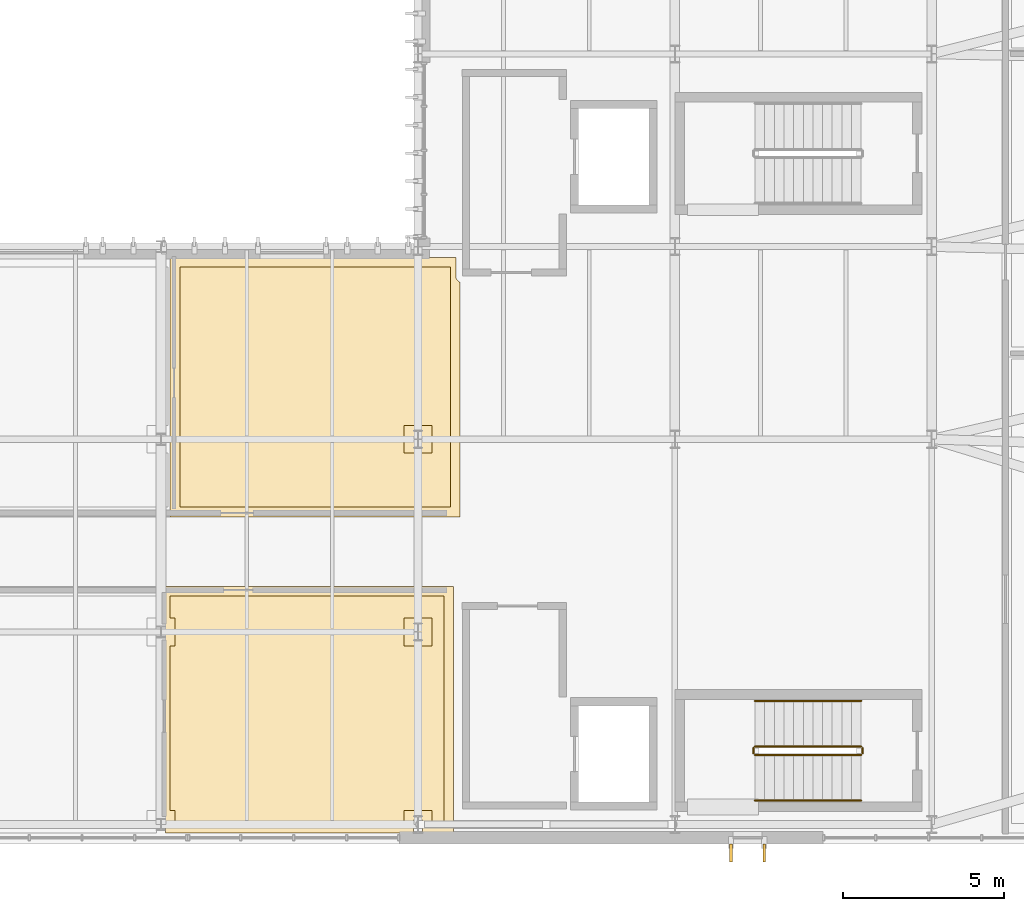
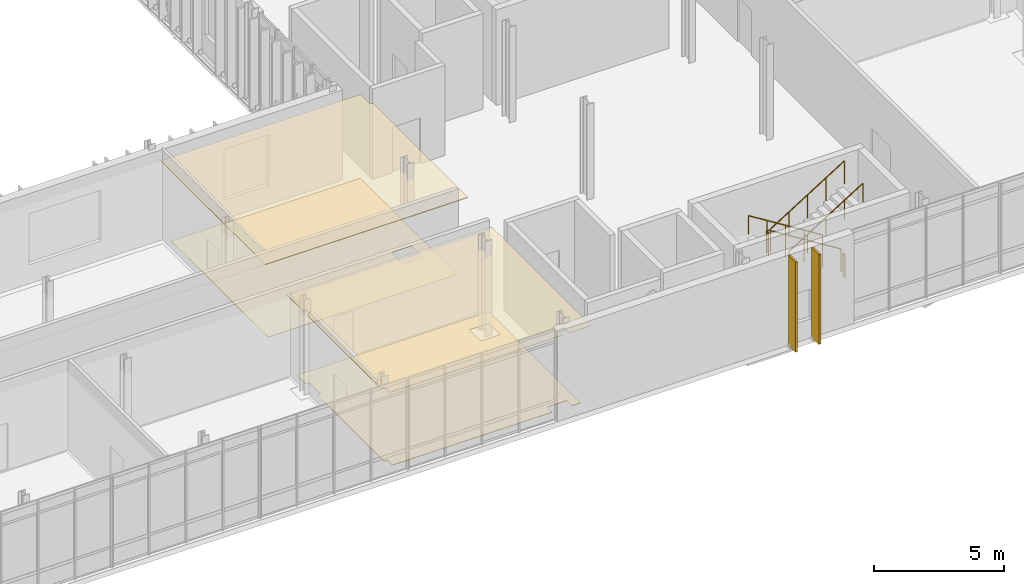
# One storey, part 97 of 100: 6 coverings, 6 railings.
"""IFC4 building model written with IfcOpenShell, lengths in metres."""

from ifc_helpers import new_model, si_unit, direction, frame, origin, origin_2d, place, context, subcontext, project, spatial, polyline, rectangle, circle, outline, extrude, material, layer, layer_set, type_object, element, save


model = new_model("IFC4")

# Units and contexts
model_context = context("Model", 3, precision=1e-05, world=origin(), true_north=direction((0.0, 1.0)))
body_context = subcontext(model_context, "Body", "Model", "MODEL_VIEW")
ifc_project = project(units=[si_unit("LENGTHUNIT", "METRE"), si_unit("AREAUNIT", "SQUARE_METRE"), si_unit("VOLUMEUNIT", "CUBIC_METRE"), si_unit("PLANEANGLEUNIT", "RADIAN"), si_unit("MASSUNIT", "GRAM", prefix="KILO")], contexts=[model_context])

# Site, building, storey
site_placement = place(None, origin())
site = spatial("IfcSite", under=ifc_project, at=site_placement, CompositionType="ELEMENT")
building_placement = place(site_placement, origin())
building = spatial("IfcBuilding", under=site, at=building_placement, Name="Cymarion Research Institute", CompositionType="ELEMENT")
storey_placement = place(building_placement, frame((0.0, 0.0, 9.300048828125)))
storey = spatial("IfcBuildingStorey", under=building, at=storey_placement, Name="L02", CompositionType="ELEMENT", Elevation=9.300048828125)

# Coverings
ifc_material_1 = material(Name="Micro-perforated mineral acoustic ceiling tile", Category="gypsum")
ifc_layer_1 = layer(ifc_material_1, 0.030029296875)
ifc_layer_set_1 = layer_set([ifc_layer_1], Name="Micro-perforated mineral acoustic ceiling tile")
covering_type_1 = type_object("IfcCoveringType", Name="ACOUSTIC MICRO-PERFORATED SUSPENDED CEILING CLG-01", PredefinedType="CEILING", material=ifc_layer_set_1)
covering_1_placement = place(storey_placement, frame((0.0, 0.0, 3.699951171875)))
element("IfcCovering", 1, at=covering_1_placement, inside=storey, type_object=covering_type_1, Name="L02 L02 Accessible Staff Restroom and Shower acoustic ceiling", PredefinedType="CEILING", context=body_context, shape_type="SweptSolid", body=[
    extrude(outline(polyline([(130.735107421875, 11.364990234375), (130.735107421875, 11.635009765625), (130.5849609375, 11.635009765625), (130.5849609375, 12.9150390625), (139.715087890625, 12.9150390625), (139.715087890625, 5.235107421875), (138.735107421875, 5.235107421875), (138.735107421875, 5.635009765625), (138.465087890625, 5.635009765625), (138.465087890625, 5.235107421875), (130.735107421875, 5.235107421875), (130.735107421875, 5.635009765625), (130.5849609375, 5.635009765625), (130.5849609375, 11.364990234375), (130.735107421875, 11.364990234375)])), origin(), (0.0, 0.0, 1.0), 0.030029296875),
])
covering_2_placement = place(storey_placement, frame((0.0, 0.0, 3.699951171875)))
element("IfcCovering", 2, at=covering_2_placement, inside=storey, type_object=covering_type_1, Name="L02 L02 Research Group Seminar & Data Review Room acoustic ceiling", PredefinedType="CEILING", context=body_context, shape_type="SweptSolid", body=[
    extrude(outline(polyline([(139.780029296875, 23.1650390625), (139.780029296875, 22.580078125), (139.781005859375, 22.560302734375), (139.78369140625, 22.541015625), (139.78857421875, 22.52197265625), (139.795166015625, 22.50341796875), (139.8037109375, 22.485595703125), (139.813720703125, 22.468994140625), (139.825439453125, 22.453125), (139.838623046875, 22.438720703125), (139.85302734375, 22.42529296875), (139.868896484375, 22.413818359375), (139.8857421875, 22.403564453125), (139.903564453125, 22.395263671875), (139.9150390625, 22.39111328125), (139.9150390625, 15.0849609375), (130.885009765625, 15.0849609375), (130.885009765625, 23.1650390625), (139.780029296875, 23.1650390625)])), origin(), (0.0, 0.0, 1.0), 0.030029296875),
])
ifc_material_2 = material(Name="Precast concrete C45/55 architectural white", Category="concrete")
ifc_layer_2 = layer(ifc_material_2, 0.090087890625)
ifc_layer_set_2 = layer_set([ifc_layer_2], Name="Precast concrete C45/55 architectural white")
covering_type_2 = type_object("IfcCoveringType", Name="ARCHITECTURAL WHITE PRECAST CONCRETE VERTICAL FIN FIN1 560MM", PredefinedType="CLADDING", material=ifc_layer_set_2)
for number, where, z_axis, x_axis, name in (
    (3, (148.3466796875, 4.617919921875, 0.010009765625), (0.0, 0.0, 1.0), (0.0, -1.0, 0.0), "L02 V1 white precast vertical fin FIN1 #211"),
    (4, (149.38671875, 4.617919921875, 0.010009765625), (0.0, 0.0, 1.0), (0.0, -1.0, 0.0), "L02 V1 white precast vertical fin FIN1 #212"),
):
    element("IfcCovering", number, at=place(storey_placement, frame(where, z_axis=z_axis, x_axis=x_axis)), inside=storey, type_object=covering_type_2, Name=name, PredefinedType="CLADDING", context=body_context, shape_type="SweptSolid", body=[
        extrude(rectangle(XDim=0.56005859375, YDim=0.090087890625, at=origin_2d()), origin(), (0.0, 0.0, 1.0), 4.22998046875),
    ])

# Railings
ifc_material_3 = material(Name="Steel S355", Category="steel")
railing_type_1 = type_object("IfcRailingType", Name="PAINTED STEEL STAIR GUARDRAIL GR1 1100MM", PredefinedType="GUARDRAIL", material=ifc_material_3)
railing_1_placement = place(storey_placement, frame((152.39990234375, 7.929931640625, 0.1875)))
element("IfcRailing", 5, at=railing_1_placement, inside=storey, type_object=railing_type_1, Name="L02 ST1 stair guard 1", PredefinedType="GUARDRAIL", context=body_context, shape_type="SweptSolid", body=[
    extrude(circle(Radius=0.02392578125, at=origin_2d()), frame((0.0, 0.0, 1.076171875), z_axis=(-0.847984204989, 0.0, 0.530021497762), x_axis=(0.0, -1.0, 0.0)), (0.0, 0.0, 1.0), 3.891357421875),
    extrude(circle(Radius=0.02099609375, at=origin_2d()), origin(), (0.0, 0.0, 1.0), 1.052001953125),
    extrude(circle(Radius=0.02099609375, at=origin_2d()), frame((-0.824951171875, 0.0, 0.515625)), (0.0, 0.0, 1.0), 1.052001953125),
    extrude(circle(Radius=0.02099609375, at=origin_2d()), frame((-1.64990234375, 0.0, 1.03125)), (0.0, 0.0, 1.0), 1.052001953125),
    extrude(circle(Radius=0.02099609375, at=origin_2d()), frame((-2.474853515625, 0.0, 1.546875)), (0.0, 0.0, 1.0), 1.052001953125),
    extrude(circle(Radius=0.02099609375, at=origin_2d()), frame((-3.2998046875, 0.0, 2.0625)), (0.0, 0.0, 1.0), 1.052001953125),
])
railing_2_placement = place(storey_placement, frame((149.050048828125, 7.8798828125, 2.25)))
element("IfcRailing", 6, at=railing_2_placement, inside=storey, type_object=railing_type_1, Name="L02 ST1 stair guard 2", PredefinedType="GUARDRAIL", context=body_context, shape_type="SweptSolid", body=[
    extrude(circle(Radius=0.02392578125, at=origin_2d()), frame((0.0, 0.0, 1.076171875), z_axis=(0.0, -1.0, 0.0), x_axis=(1.0, 0.0, 0.0)), (0.0, 0.0, 1.0), 0.159912109375),
    extrude(circle(Radius=0.02099609375, at=origin_2d()), origin(), (0.0, 0.0, 1.0), 1.052001953125),
    extrude(circle(Radius=0.02099609375, at=origin_2d()), frame((0.0, -0.159912109375, 0.0)), (0.0, 0.0, 1.0), 1.052001953125),
])
railing_3_placement = place(storey_placement, frame((149.10009765625, 7.669921875, 2.4375)))
element("IfcRailing", 7, at=railing_3_placement, inside=storey, type_object=railing_type_1, Name="L02 ST1 stair guard 3", PredefinedType="GUARDRAIL", context=body_context, shape_type="SweptSolid", body=[
    extrude(circle(Radius=0.02392578125, at=origin_2d()), frame((0.0, 0.0, 1.076171875), z_axis=(0.847984204989, 0.0, 0.530021497762), x_axis=(0.0, 1.0, 0.0)), (0.0, 0.0, 1.0), 3.891357421875),
    extrude(circle(Radius=0.02099609375, at=origin_2d()), origin(), (0.0, 0.0, 1.0), 1.052001953125),
    extrude(circle(Radius=0.02099609375, at=origin_2d()), frame((0.824951171875, 0.0, 0.515625)), (0.0, 0.0, 1.0), 1.052001953125),
    extrude(circle(Radius=0.02099609375, at=origin_2d()), frame((1.64990234375, 0.0, 1.03125)), (0.0, 0.0, 1.0), 1.052001953125),
    extrude(circle(Radius=0.02099609375, at=origin_2d()), frame((2.474853515625, 0.0, 1.546875)), (0.0, 0.0, 1.0), 1.052001953125),
    extrude(circle(Radius=0.02099609375, at=origin_2d()), frame((3.2998046875, 0.0, 2.0625)), (0.0, 0.0, 1.0), 1.052001953125),
])
railing_4_placement = place(storey_placement, frame((152.449951171875, 7.8798828125, 0.0)))
element("IfcRailing", 8, at=railing_4_placement, inside=storey, type_object=railing_type_1, Name="L02 ST1 stair guard 4", PredefinedType="GUARDRAIL", context=body_context, shape_type="SweptSolid", body=[
    extrude(circle(Radius=0.02392578125, at=origin_2d()), frame((0.0, 0.0, 1.076171875), z_axis=(0.0, -1.0, 0.0), x_axis=(1.0, 0.0, 0.0)), (0.0, 0.0, 1.0), 0.159912109375),
    extrude(circle(Radius=0.02099609375, at=origin_2d()), origin(), (0.0, 0.0, 1.0), 1.052001953125),
    extrude(circle(Radius=0.02099609375, at=origin_2d()), frame((0.0, -0.159912109375, 0.0)), (0.0, 0.0, 1.0), 1.052001953125),
])

# Coverings
ifc_material_4 = material(Name="Seamless dissipative epoxy resin flooring", Category="resin")
ifc_layer_3 = layer(ifc_material_4, 0.02001953125)
ifc_layer_set_3 = layer_set([ifc_layer_3], Name="Seamless dissipative epoxy resin flooring")
covering_type_3 = type_object("IfcCoveringType", Name="SEAMLESS ESD EPOXY LABORATORY FLOORING FLR-01", PredefinedType="FLOORING", material=ifc_layer_set_3)
covering_3_placement = place(storey_placement, origin())
element("IfcCovering", 9, at=covering_3_placement, inside=storey, type_object=covering_type_3, Name="L02 L02 Accessible Staff Restroom and Shower ESD epoxy flooring", PredefinedType="FLOORING", context=body_context, shape_type="SweptSolid", body=[
    extrude(outline(polyline([(130.885009765625, 5.93505859375), (130.885009765625, 11.06494140625), (131.034912109375, 11.06494140625), (131.034912109375, 11.93505859375), (130.885009765625, 11.93505859375), (130.885009765625, 12.614990234375), (139.4150390625, 12.614990234375), (139.4150390625, 5.534912109375), (139.034912109375, 5.534912109375), (139.034912109375, 5.93505859375), (138.1650390625, 5.93505859375), (138.1650390625, 5.534912109375), (131.034912109375, 5.534912109375), (131.034912109375, 5.93505859375), (130.885009765625, 5.93505859375)]), holes=[polyline([(139.034912109375, 11.93505859375), (138.1650390625, 11.93505859375), (138.1650390625, 11.06494140625), (139.034912109375, 11.06494140625), (139.034912109375, 11.93505859375)])]), origin(), (0.0, 0.0, 1.0), 0.02001953125),
])
covering_4_placement = place(storey_placement, origin())
element("IfcCovering", 10, at=covering_4_placement, inside=storey, type_object=covering_type_3, Name="L02 L02 Research Group Seminar & Data Review Room ESD epoxy flooring", PredefinedType="FLOORING", context=body_context, shape_type="SweptSolid", body=[
    extrude(outline(polyline([(131.18505859375, 22.864990234375), (139.614990234375, 22.864990234375), (139.614990234375, 15.385009765625), (131.18505859375, 15.385009765625), (131.18505859375, 22.864990234375)]), holes=[polyline([(139.034912109375, 17.93505859375), (138.1650390625, 17.93505859375), (138.1650390625, 17.06494140625), (139.034912109375, 17.06494140625), (139.034912109375, 17.93505859375)])]), origin(), (0.0, 0.0, 1.0), 0.02001953125),
])

# Railings
railing_type_2 = type_object("IfcRailingType", Name="STAINLESS STEEL STAIR HANDRAIL HR1 900MM", PredefinedType="HANDRAIL", material=ifc_material_3)
railing_5_placement = place(storey_placement, frame((152.39990234375, 9.35009765625, 0.1875)))
element("IfcRailing", 11, at=railing_5_placement, inside=storey, type_object=railing_type_2, Name="L02 ST1 stair handrail 1", PredefinedType="HANDRAIL", context=body_context, shape_type="SweptSolid", body=[
    extrude(circle(Radius=0.02392578125, at=origin_2d()), frame((0.0, 0.0, 0.8759765625), z_axis=(-0.847984204989, 0.0, 0.530021497762), x_axis=(0.0, -1.0, 0.0)), (0.0, 0.0, 1.0), 3.891357421875),
    extrude(circle(Radius=0.02099609375, at=origin_2d()), origin(), (0.0, 0.0, 1.0), 0.851806640625),
    extrude(circle(Radius=0.02099609375, at=origin_2d()), frame((-0.824951171875, 0.0, 0.515625)), (0.0, 0.0, 1.0), 0.851806640625),
    extrude(circle(Radius=0.02099609375, at=origin_2d()), frame((-1.64990234375, 0.0, 1.03125)), (0.0, 0.0, 1.0), 0.851806640625),
    extrude(circle(Radius=0.02099609375, at=origin_2d()), frame((-2.474853515625, 0.0, 1.546875)), (0.0, 0.0, 1.0), 0.851806640625),
    extrude(circle(Radius=0.02099609375, at=origin_2d()), frame((-3.2998046875, 0.0, 2.0625)), (0.0, 0.0, 1.0), 0.851806640625),
])
railing_6_placement = place(storey_placement, frame((149.10009765625, 6.25, 2.4375)))
element("IfcRailing", 12, at=railing_6_placement, inside=storey, type_object=railing_type_2, Name="L02 ST1 stair handrail 2", PredefinedType="HANDRAIL", context=body_context, shape_type="SweptSolid", body=[
    extrude(circle(Radius=0.02392578125, at=origin_2d()), frame((0.0, 0.0, 0.8759765625), z_axis=(0.847984204989, 0.0, 0.530021497762), x_axis=(0.0, 1.0, 0.0)), (0.0, 0.0, 1.0), 3.891357421875),
    extrude(circle(Radius=0.02099609375, at=origin_2d()), origin(), (0.0, 0.0, 1.0), 0.851806640625),
    extrude(circle(Radius=0.02099609375, at=origin_2d()), frame((0.824951171875, 0.0, 0.515625)), (0.0, 0.0, 1.0), 0.851806640625),
    extrude(circle(Radius=0.02099609375, at=origin_2d()), frame((1.64990234375, 0.0, 1.03125)), (0.0, 0.0, 1.0), 0.851806640625),
    extrude(circle(Radius=0.02099609375, at=origin_2d()), frame((2.474853515625, 0.0, 1.546875)), (0.0, 0.0, 1.0), 0.851806640625),
    extrude(circle(Radius=0.02099609375, at=origin_2d()), frame((3.2998046875, 0.0, 2.0625)), (0.0, 0.0, 1.0), 0.851806640625),
])

save(model, "model.ifc")
